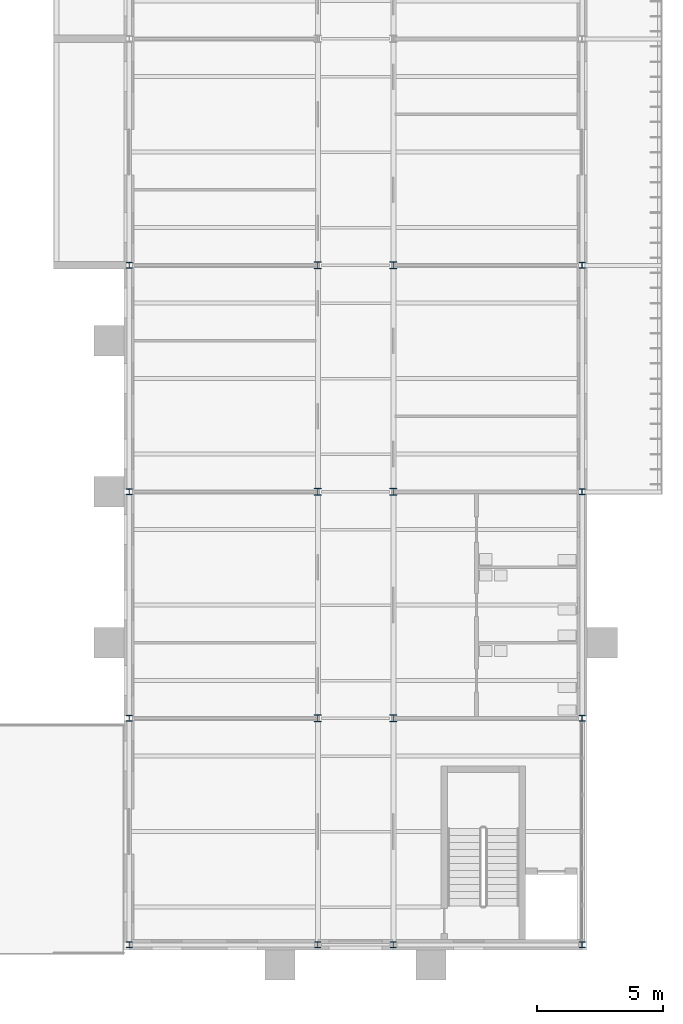
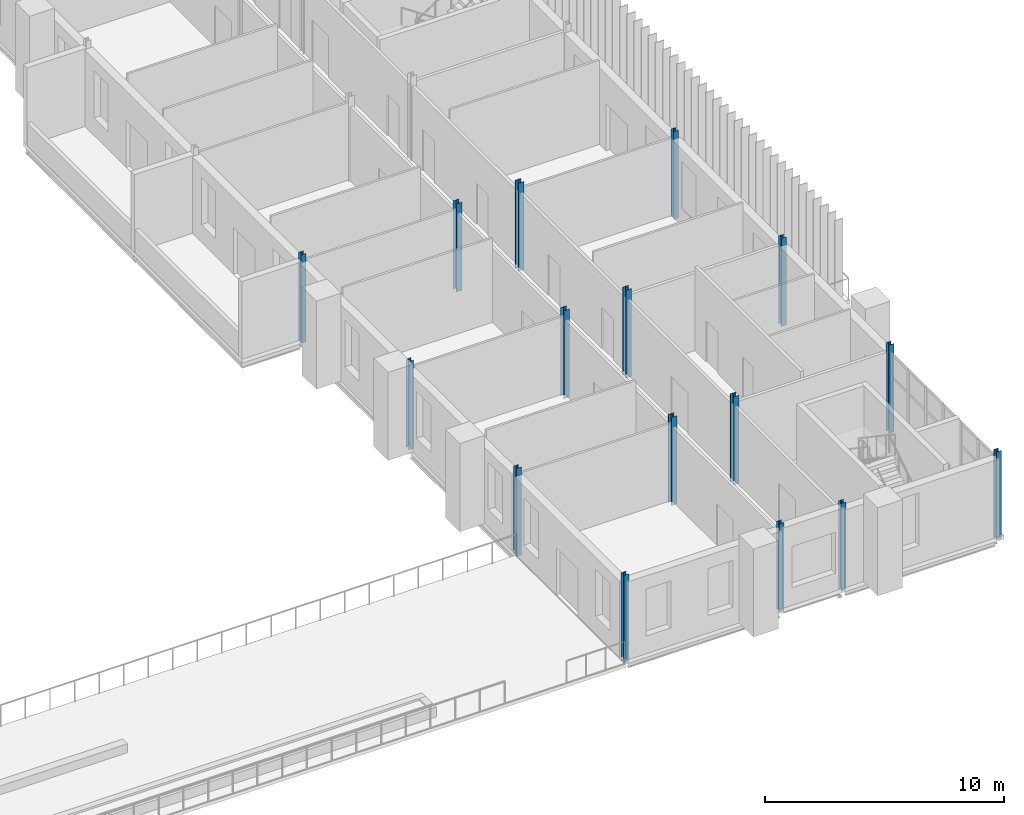
# One storey, part 16 of 134: 16 columns.
"""IFC4 building model written with IfcOpenShell, lengths in metres."""

from ifc_helpers import new_model, si_unit, direction, frame, origin, origin_2d, place, context, subcontext, project, spatial, i_section, extrude, material, material_profile, profile_set, type_object, element, save


model = new_model("IFC4")

# Units and contexts
model_context = context("Model", 3, precision=1e-05, world=origin(), true_north=direction((0.0, 1.0)))
body_context = subcontext(model_context, "Body", "Model", "MODEL_VIEW")
ifc_project = project(units=[si_unit("LENGTHUNIT", "METRE"), si_unit("AREAUNIT", "SQUARE_METRE"), si_unit("VOLUMEUNIT", "CUBIC_METRE"), si_unit("PLANEANGLEUNIT", "RADIAN"), si_unit("MASSUNIT", "GRAM", prefix="KILO")], contexts=[model_context])

# Site, building, storey
site_placement = place(None, origin())
site = spatial("IfcSite", under=ifc_project, at=site_placement, CompositionType="ELEMENT")
building_placement = place(site_placement, origin())
building = spatial("IfcBuilding", under=site, at=building_placement, Name="Golden Quay Civic Hall", CompositionType="ELEMENT")
storey_placement = place(building_placement, frame((0.0, 0.0, 5.39990234375)))
storey = spatial("IfcBuildingStorey", under=building, at=storey_placement, Name="L01", CompositionType="ELEMENT", Elevation=5.39990234375)

# Columns
ifc_material_1 = material(Name="Steel S355", Category="steel")
ifc_material_profile_1 = material_profile(ifc_material_1, i_section(OverallWidth=0.239990234375, OverallDepth=0.22998046875, WebThickness=0.007568359375, FlangeThickness=0.011962890625, FilletRadius=0.02099609375, at=origin_2d()), Name="HEA 240")
ifc_profile_set_1 = profile_set([ifc_material_profile_1], Name="Steel S355")
column_type_1 = type_object("IfcColumnType", Name="Steel column HEA 240", PredefinedType="COLUMN", material=ifc_profile_set_1)
for number, where, z_axis, x_axis, name in (
    (1, (153.0, -9.0, -0.199951171875), (0.0, 0.0, 1.0), (1.0, 0.0, 0.0), "Column 153/-9 L01"),
    (2, (153.0, 0.0, -0.199951171875), (0.0, 0.0, 1.0), (1.0, 0.0, 0.0), "Column 153/0 L01"),
    (3, (153.0, 9.0, -0.199951171875), (0.0, 0.0, 1.0), (1.0, 0.0, 0.0), "Column 153/9 L01"),
    (4, (153.0, 18.0, -0.199951171875), (0.0, 0.0, 1.0), (1.0, 0.0, 0.0), "Column 153/18 L01"),
    (5, (160.5, -9.0, -0.199951171875), (0.0, 0.0, 1.0), (1.0, 0.0, 0.0), "Column 160.5/-9 L01"),
    (6, (163.5, -9.0, -0.199951171875), (0.0, 0.0, 1.0), (1.0, 0.0, 0.0), "Column 163.5/-9 L01"),
    (7, (171.0, -9.0, -0.199951171875), (0.0, 0.0, 1.0), (1.0, 0.0, 0.0), "Column 171/-9 L01"),
    (8, (171.0, 0.0, -0.199951171875), (0.0, 0.0, 1.0), (1.0, 0.0, 0.0), "Column 171/0 L01"),
    (9, (171.0, 9.0, -0.199951171875), (0.0, 0.0, 1.0), (1.0, 0.0, 0.0), "Column 171/9 L01"),
    (10, (171.0, 18.0, -0.199951171875), (0.0, 0.0, 1.0), (1.0, 0.0, 0.0), "Column 171/18 L01"),
):
    element("IfcColumn", number, at=place(storey_placement, frame(where, z_axis=z_axis, x_axis=x_axis)), inside=storey, type_object=column_type_1, Name=name, PredefinedType="COLUMN", context=body_context, shape_type="SweptSolid", body=[
        extrude(i_section(OverallWidth=0.239990234375, OverallDepth=0.22998046875, WebThickness=0.007568359375, FlangeThickness=0.011962890625, FilletRadius=0.02099609375, at=origin_2d()), origin(), (0.0, 0.0, 1.0), 4.5),
    ])
ifc_material_2 = material(Name="Steel S355", Category="steel")
ifc_material_profile_2 = material_profile(ifc_material_2, i_section(OverallWidth=0.280029296875, OverallDepth=0.27001953125, WebThickness=0.008056640625, FlangeThickness=0.012939453125, FilletRadius=0.02392578125, at=origin_2d()), Name="HEA 280")
ifc_profile_set_2 = profile_set([ifc_material_profile_2], Name="Steel S355")
column_type_2 = type_object("IfcColumnType", Name="Steel column HEA 280", PredefinedType="COLUMN", material=ifc_profile_set_2)
for number, where, z_axis, x_axis, name in (
    (11, (160.5, 0.0, -0.199951171875), (0.0, 0.0, 1.0), (1.0, 0.0, 0.0), "Column 160.5/0 L01"),
    (12, (160.5, 9.0, -0.199951171875), (0.0, 0.0, 1.0), (1.0, 0.0, 0.0), "Column 160.5/9 L01"),
    (13, (160.5, 18.0, -0.199951171875), (0.0, 0.0, 1.0), (1.0, 0.0, 0.0), "Column 160.5/18 L01"),
    (14, (163.5, 0.0, -0.199951171875), (0.0, 0.0, 1.0), (1.0, 0.0, 0.0), "Column 163.5/0 L01"),
    (15, (163.5, 9.0, -0.199951171875), (0.0, 0.0, 1.0), (1.0, 0.0, 0.0), "Column 163.5/9 L01"),
    (16, (163.5, 18.0, -0.199951171875), (0.0, 0.0, 1.0), (1.0, 0.0, 0.0), "Column 163.5/18 L01"),
):
    element("IfcColumn", number, at=place(storey_placement, frame(where, z_axis=z_axis, x_axis=x_axis)), inside=storey, type_object=column_type_2, Name=name, PredefinedType="COLUMN", context=body_context, shape_type="SweptSolid", body=[
        extrude(i_section(OverallWidth=0.280029296875, OverallDepth=0.27001953125, WebThickness=0.008056640625, FlangeThickness=0.012939453125, FilletRadius=0.02392578125, at=origin_2d()), origin(), (0.0, 0.0, 1.0), 4.5),
    ])

save(model, "model.ifc")
